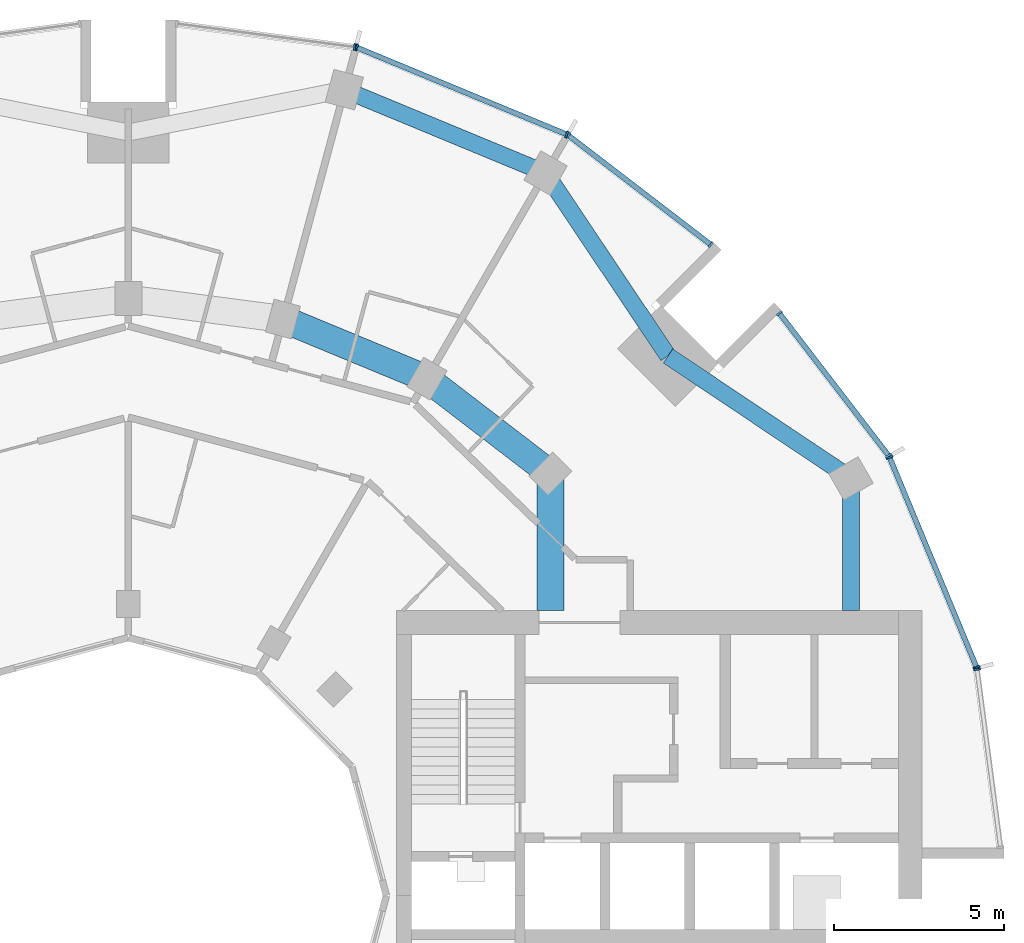
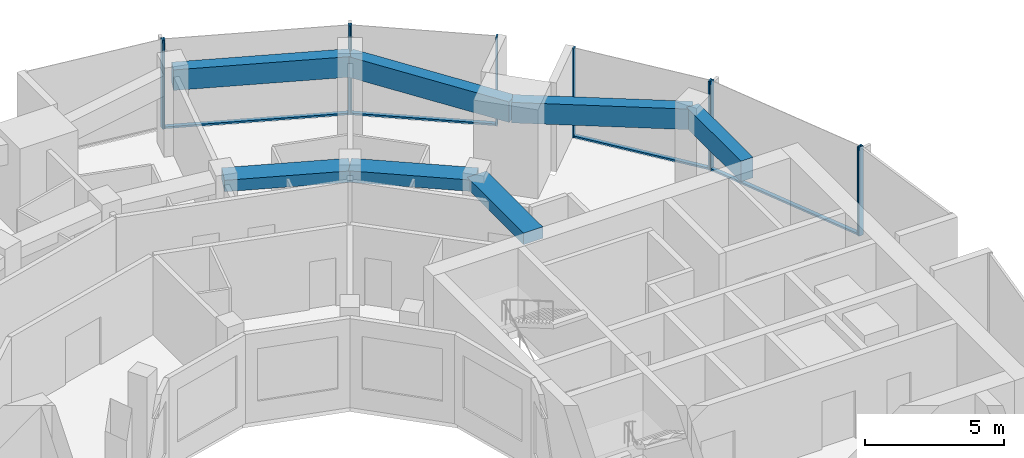
# One storey, part 6 of 15: 14 members, 7 beams, 6 elements without a shape of their own.
"""IFC4 building model written with IfcOpenShell, lengths in metres."""

from ifc_helpers import new_model, si_unit, direction, frame, origin, origin_2d, place, context, subcontext, project, spatial, rectangle, extrude, material, layer, layer_set, material_profile, profile_set, type_object, element, aggregate, save


model = new_model("IFC4")

# Units and contexts
model_context = context("Model", 3, precision=1e-05, world=origin(), true_north=direction((0.0, 1.0)))
body_context = subcontext(model_context, "Body", "Model", "MODEL_VIEW")
ifc_project = project(units=[si_unit("LENGTHUNIT", "METRE"), si_unit("AREAUNIT", "SQUARE_METRE"), si_unit("VOLUMEUNIT", "CUBIC_METRE"), si_unit("PLANEANGLEUNIT", "RADIAN"), si_unit("MASSUNIT", "GRAM", prefix="KILO")], contexts=[model_context])

# Site, building, storey
site_placement = place(None, origin())
site = spatial("IfcSite", under=ifc_project, at=site_placement, CompositionType="ELEMENT")
building_placement = place(site_placement, origin())
building = spatial("IfcBuilding", under=site, at=building_placement, Name="Torre Brocal", CompositionType="ELEMENT")
storey_placement = place(building_placement, frame((0.0, 0.0, 122.39990234375)))
storey = spatial("IfcBuildingStorey", under=building, at=storey_placement, Name="L28", CompositionType="ELEMENT", Elevation=122.39990234375)

# Curtain wall, members
ifc_material_1 = material(Name="Aluminium and glass", Category="aluminium")
ifc_layer_1 = layer(ifc_material_1, 0.199951171875)
ifc_layer_set_1 = layer_set([ifc_layer_1], Name="Aluminium and glass")
curtain_wall_type_1 = type_object("IfcCurtainWallType", Name="CW-1 CURTAIN WALL 3900 HIGH", PredefinedType="NOTDEFINED", material=ifc_layer_set_1)
curtain_wall_1_placement = place(storey_placement, origin())
curtain_wall_1 = element("IfcCurtainWall", 1, at=curtain_wall_1_placement, inside=storey, type_object=curtain_wall_type_1, Name="CW-1 RUN 2", PredefinedType="NOTDEFINED")
ifc_material_2 = material(Name="Aluminium, dark anodised", Category="aluminium")
ifc_material_profile_1 = material_profile(ifc_material_2, rectangle(XDim=0.199951171875, YDim=0.06005859375, at=origin_2d()), Name="CW-1 MULLION 60X200")
ifc_profile_set_1 = profile_set([ifc_material_profile_1], Name="Aluminium, dark anodised")
member_type_1 = type_object("IfcMemberType", Name="CW-1 MULLION 60X200", PredefinedType="MULLION", material=ifc_profile_set_1)
member_1_placement = place(storey_placement, frame((105.005126953125, 81.73095703125, 0.0), z_axis=(0.0, 0.0, 1.0), x_axis=(-0.923879532525, -0.382683432333, 0.0)))
member_1 = element("IfcMember", 2, at=member_1_placement, type_object=member_type_1, Name="CW1-3 mullion 1", PredefinedType="MULLION", context=body_context, shape_type="SweptSolid", body=[
    extrude(rectangle(XDim=0.199951171875, YDim=0.06005859375, at=origin_2d()), origin(), (0.0, 0.0, 1.0), 3.900146484375),
])
member_2_placement = place(storey_placement, frame((102.440673828125, 87.921875, 0.0), z_axis=(0.0, 0.0, 1.0), x_axis=(-0.923879532525, -0.382683432333, 0.0)))
member_2 = element("IfcMember", 3, at=member_2_placement, type_object=member_type_1, Name="CW1-3 mullion 2", PredefinedType="MULLION", context=body_context, shape_type="SweptSolid", body=[
    extrude(rectangle(XDim=0.199951171875, YDim=0.06005859375, at=origin_2d()), origin(), (0.0, 0.0, 1.0), 3.900146484375),
])

curtain_wall_2_placement = place(storey_placement, origin())
curtain_wall_2 = element("IfcCurtainWall", 4, at=curtain_wall_2_placement, inside=storey, type_object=curtain_wall_type_1, Name="CW-1 RUN 3", PredefinedType="NOTDEFINED")
member_3_placement = place(storey_placement, frame((102.4111328125, 87.973388671875, 0.0), z_axis=(0.0, 0.0, 1.0), x_axis=(-0.793353340259, -0.60876142905, 0.0)))
member_3 = element("IfcMember", 5, at=member_3_placement, type_object=member_type_1, Name="CW1-3 mullion 1", PredefinedType="MULLION", context=body_context, shape_type="SweptSolid", body=[
    extrude(rectangle(XDim=0.199951171875, YDim=0.06005859375, at=origin_2d()), origin(), (0.0, 0.0, 1.0), 3.900146484375),
])
member_4_placement = place(storey_placement, frame((99.19140625, 92.16943359375, 0.0), z_axis=(0.0, 0.0, 1.0), x_axis=(-0.793353340259, -0.60876142905, 0.0)))
member_4 = element("IfcMember", 6, at=member_4_placement, type_object=member_type_1, Name="CW1-3 mullion 2", PredefinedType="MULLION", context=body_context, shape_type="SweptSolid", body=[
    extrude(rectangle(XDim=0.199951171875, YDim=0.06005859375, at=origin_2d()), origin(), (0.0, 0.0, 1.0), 3.900146484375),
])

curtain_wall_3_placement = place(storey_placement, origin())
curtain_wall_3 = element("IfcCurtainWall", 7, at=curtain_wall_3_placement, inside=storey, type_object=curtain_wall_type_1, Name="CW-1 RUN 4", PredefinedType="NOTDEFINED")
member_5_placement = place(storey_placement, frame((97.16943359375, 94.19140625, 0.0), z_axis=(0.0, 0.0, 1.0), x_axis=(-0.60876142905, -0.793353340259, 0.0)))
member_5 = element("IfcMember", 8, at=member_5_placement, type_object=member_type_1, Name="CW1-3 mullion 1", PredefinedType="MULLION", context=body_context, shape_type="SweptSolid", body=[
    extrude(rectangle(XDim=0.199951171875, YDim=0.06005859375, at=origin_2d()), origin(), (0.0, 0.0, 1.0), 3.900146484375),
])
member_6_placement = place(storey_placement, frame((92.973388671875, 97.4111328125, 0.0), z_axis=(0.0, 0.0, 1.0), x_axis=(-0.60876142905, -0.793353340259, 0.0)))
member_6 = element("IfcMember", 9, at=member_6_placement, type_object=member_type_1, Name="CW1-3 mullion 2", PredefinedType="MULLION", context=body_context, shape_type="SweptSolid", body=[
    extrude(rectangle(XDim=0.199951171875, YDim=0.06005859375, at=origin_2d()), origin(), (0.0, 0.0, 1.0), 3.900146484375),
])

curtain_wall_4_placement = place(storey_placement, origin())
curtain_wall_4 = element("IfcCurtainWall", 10, at=curtain_wall_4_placement, inside=storey, type_object=curtain_wall_type_1, Name="CW-1 RUN 5", PredefinedType="NOTDEFINED")
member_7_placement = place(storey_placement, frame((92.921875, 97.440673828125, 0.0), z_axis=(0.0, 0.0, 1.0), x_axis=(-0.382683432333, -0.923879532525, 0.0)))
member_7 = element("IfcMember", 11, at=member_7_placement, type_object=member_type_1, Name="CW1-3 mullion 1", PredefinedType="MULLION", context=body_context, shape_type="SweptSolid", body=[
    extrude(rectangle(XDim=0.199951171875, YDim=0.06005859375, at=origin_2d()), origin(), (0.0, 0.0, 1.0), 3.900146484375),
])
member_8_placement = place(storey_placement, frame((86.73095703125, 100.005126953125, 0.0), z_axis=(0.0, 0.0, 1.0), x_axis=(-0.382683432333, -0.923879532525, 0.0)))
member_8 = element("IfcMember", 12, at=member_8_placement, type_object=member_type_1, Name="CW1-3 mullion 2", PredefinedType="MULLION", context=body_context, shape_type="SweptSolid", body=[
    extrude(rectangle(XDim=0.199951171875, YDim=0.06005859375, at=origin_2d()), origin(), (0.0, 0.0, 1.0), 3.900146484375),
])

# Curtain wall, member
curtain_wall_5_placement = place(storey_placement, origin())
curtain_wall_5 = element("IfcCurtainWall", 13, at=curtain_wall_5_placement, inside=storey, type_object=curtain_wall_type_1, Name="CW-1 RUN 6", PredefinedType="NOTDEFINED")
member_9_placement = place(storey_placement, frame((86.67333984375, 100.0205078125, 0.0), z_axis=(0.0, 0.0, 1.0), x_axis=(-0.13052619222, -0.991444861374, 0.0)))
member_9 = element("IfcMember", 14, at=member_9_placement, type_object=member_type_1, Name="CW1-3 mullion 1", PredefinedType="MULLION", context=body_context, shape_type="SweptSolid", body=[
    extrude(rectangle(XDim=0.199951171875, YDim=0.06005859375, at=origin_2d()), origin(), (0.0, 0.0, 1.0), 3.900146484375),
])
aggregate(curtain_wall_5, [member_9])

# Member
ifc_material_3 = material(Name="Aluminium, dark anodised", Category="aluminium")
ifc_material_profile_2 = material_profile(ifc_material_3, rectangle(XDim=0.159912109375, YDim=0.080078125, at=origin_2d()), Name="CW-1 TRANSOM 160X80")
ifc_profile_set_2 = profile_set([ifc_material_profile_2], Name="Aluminium, dark anodised")
member_type_2 = type_object("IfcMemberType", Name="CW-1 TRANSOM 160X80", PredefinedType="USERDEFINED", material=ifc_profile_set_2)
member_10_placement = place(storey_placement, frame((104.99365234375, 81.758544921875, 0.0400390625), z_axis=(-0.38266457234, 0.923887344364, 0.0), x_axis=(-0.923887344364, -0.38266457234, 0.0)))
member_10 = element("IfcMember", 15, at=member_10_placement, type_object=member_type_2, Name="CW1-3 transom 1.1", ObjectType="TRANSOM", PredefinedType="USERDEFINED", context=body_context, shape_type="SweptSolid", body=[
    extrude(rectangle(XDim=0.159912109375, YDim=0.080078125, at=origin_2d()), origin(), (0.0, 0.0, 1.0), 6.640869140625),
])

aggregate(curtain_wall_1, [member_1, member_2, member_10])

member_11_placement = place(storey_placement, frame((102.392822265625, 87.9970703125, 0.0400390625), z_axis=(-0.60874908096, 0.79336281513, 0.0), x_axis=(-0.79336281513, -0.60874908096, 0.0)))
member_11 = element("IfcMember", 16, at=member_11_placement, type_object=member_type_2, Name="CW1-3 transom 1.1", ObjectType="TRANSOM", PredefinedType="USERDEFINED", context=body_context, shape_type="SweptSolid", body=[
    extrude(rectangle(XDim=0.159912109375, YDim=0.080078125, at=origin_2d()), origin(), (0.0, 0.0, 1.0), 5.22900390625),
])

aggregate(curtain_wall_2, [member_3, member_4, member_11])

member_12_placement = place(storey_placement, frame((97.1455078125, 94.209716796875, 0.0400390625), z_axis=(-0.79336281513, 0.60874908096, 0.0), x_axis=(-0.60874908096, -0.79336281513, 0.0)))
member_12 = element("IfcMember", 17, at=member_12_placement, type_object=member_type_2, Name="CW1-3 transom 1.1", ObjectType="TRANSOM", PredefinedType="USERDEFINED", context=body_context, shape_type="SweptSolid", body=[
    extrude(rectangle(XDim=0.159912109375, YDim=0.080078125, at=origin_2d()), origin(), (0.0, 0.0, 1.0), 5.22900390625),
])

aggregate(curtain_wall_3, [member_5, member_6, member_12])

member_13_placement = place(storey_placement, frame((92.89404296875, 97.452392578125, 0.0400390625), z_axis=(-0.923887344364, 0.38266457234, 0.0), x_axis=(-0.38266457234, -0.923887344364, 0.0)))
member_13 = element("IfcMember", 18, at=member_13_placement, type_object=member_type_2, Name="CW1-3 transom 1.1", ObjectType="TRANSOM", PredefinedType="USERDEFINED", context=body_context, shape_type="SweptSolid", body=[
    extrude(rectangle(XDim=0.159912109375, YDim=0.080078125, at=origin_2d()), origin(), (0.0, 0.0, 1.0), 6.640869140625),
])

aggregate(curtain_wall_4, [member_7, member_8, member_13])

# Curtain wall, member
ifc_material_4 = material(Name="Aluminium and glass", Category="aluminium")
ifc_layer_2 = layer(ifc_material_4, 0.199951171875)
ifc_layer_set_2 = layer_set([ifc_layer_2], Name="Aluminium and glass")
curtain_wall_type_2 = type_object("IfcCurtainWallType", Name="CW-1B CURTAIN WALL 3900 HIGH", PredefinedType="NOTDEFINED", material=ifc_layer_set_2)
curtain_wall_6_placement = place(storey_placement, origin())
curtain_wall_6 = element("IfcCurtainWall", 19, at=curtain_wall_6_placement, inside=storey, type_object=curtain_wall_type_2, Name="CW-1B RUN 1", PredefinedType="NOTDEFINED")
ifc_material_5 = material(Name="Aluminium, dark anodised", Category="aluminium")
ifc_material_profile_3 = material_profile(ifc_material_5, rectangle(XDim=0.199951171875, YDim=0.06005859375, at=origin_2d()), Name="CW-1B MULLION 60X200")
ifc_profile_set_3 = profile_set([ifc_material_profile_3], Name="Aluminium, dark anodised")
member_type_3 = type_object("IfcMemberType", Name="CW-1B MULLION 60X200", PredefinedType="MULLION", material=ifc_profile_set_3)
member_14_placement = place(storey_placement, frame((105.0205078125, 81.67333984375, 0.0), z_axis=(0.0, 0.0, 1.0), x_axis=(-0.991444861374, -0.13052619222, 0.0)))
member_14 = element("IfcMember", 20, at=member_14_placement, type_object=member_type_3, Name="CW1B-3 mullion 2", PredefinedType="MULLION", context=body_context, shape_type="SweptSolid", body=[
    extrude(rectangle(XDim=0.199951171875, YDim=0.06005859375, at=origin_2d()), origin(), (0.0, 0.0, 1.0), 3.900146484375),
])
aggregate(curtain_wall_6, [member_14])

# Beams
ifc_material_6 = material(Name="Concrete C50", Category="concrete")
ifc_material_profile_4 = material_profile(ifc_material_6, rectangle(XDim=0.800048828125, YDim=0.5, at=origin_2d()), Name="RC 800X500")
ifc_profile_set_4 = profile_set([ifc_material_profile_4], Name="Concrete C50")
beam_type_1 = type_object("IfcBeamType", Name="RC BEAM 800X500 C50 TOP 3580", PredefinedType="BEAM", material=ifc_profile_set_4)
beam_1_placement = place(storey_placement, frame((92.445068359375, 87.445068359375, 3.330078125), z_axis=(-0.793358265959, 0.6087550097, 0.0), x_axis=(-0.6087550097, -0.793358265959, 0.0)))
element("IfcBeam", 21, at=beam_1_placement, inside=storey, type_object=beam_type_1, Name="Beam BT-28", PredefinedType="BEAM", context=body_context, shape_type="SweptSolid", body=[
    extrude(rectangle(XDim=0.800048828125, YDim=0.5, at=origin_2d()), origin(), (0.0, 0.0, 1.0), 4.594482421875),
])
beam_2_placement = place(storey_placement, frame((88.800048828125, 90.241943359375, 3.330078125), z_axis=(-0.923878240166, 0.382686552348, 0.0), x_axis=(-0.382686552348, -0.923878240166, 0.0)))
element("IfcBeam", 22, at=beam_2_placement, inside=storey, type_object=beam_type_1, Name="Beam BT-28", PredefinedType="BEAM", context=body_context, shape_type="SweptSolid", body=[
    extrude(rectangle(XDim=0.800048828125, YDim=0.5, at=origin_2d()), origin(), (0.0, 0.0, 1.0), 4.5947265625),
])
beam_3_placement = place(storey_placement, frame((92.445068359375, 87.445068359375, 3.330078125), z_axis=(0.0, -1.0, 0.0), x_axis=(1.0, 0.0, 0.0)))
element("IfcBeam", 23, at=beam_3_placement, inside=storey, type_object=beam_type_1, Name="Beam BT-28", PredefinedType="BEAM", context=body_context, shape_type="SweptSolid", body=[
    extrude(rectangle(XDim=0.800048828125, YDim=0.5, at=origin_2d()), origin(), (0.0, 0.0, 1.0), 4.045166015625),
])
ifc_material_7 = material(Name="Concrete C50", Category="concrete")
ifc_material_profile_5 = material_profile(ifc_material_7, rectangle(XDim=0.5, YDim=0.89990234375, at=origin_2d()), Name="RC 500X900")
ifc_profile_set_5 = profile_set([ifc_material_profile_5], Name="Concrete C50")
beam_type_2 = type_object("IfcBeamType", Name="RC SPANDREL BEAM 500X900 C50 TOP 3580", PredefinedType="SPANDREL", material=ifc_profile_set_5)
for number, where, z_axis, x_axis, name in (
    (24, (101.30419921875, 87.300048828125, 3.130126953125), (-0.831076844476, 0.556157602282, 0.0), (-0.556157602282, -0.831076844476, 0.0), "Beam BT-29"),
    (25, (95.909912109375, 90.909912109375, 3.130126953125), (-0.556157602282, 0.831076844476, 0.0), (-0.831076844476, -0.556157602282, 0.0), "Beam BT-29"),
):
    element("IfcBeam", number, at=place(storey_placement, frame(where, z_axis=z_axis, x_axis=x_axis)), inside=storey, type_object=beam_type_2, Name=name, PredefinedType="SPANDREL", context=body_context, shape_type="SweptSolid", body=[
        extrude(rectangle(XDim=0.5, YDim=0.89990234375, at=origin_2d()), origin(), (0.0, 0.0, 1.0), 6.49072265625),
    ])
beam_4_placement = place(storey_placement, frame((92.300048828125, 96.30419921875, 3.130126953125), z_axis=(-0.923882462513, 0.382676358639, 0.0), x_axis=(-0.382676358639, -0.923882462513, 0.0)))
element("IfcBeam", 26, at=beam_4_placement, inside=storey, type_object=beam_type_2, Name="Beam BT-29", PredefinedType="SPANDREL", context=body_context, shape_type="SweptSolid", body=[
    extrude(rectangle(XDim=0.5, YDim=0.89990234375, at=origin_2d()), origin(), (0.0, 0.0, 1.0), 6.421875),
])
beam_5_placement = place(storey_placement, frame((101.30419921875, 87.300048828125, 3.130126953125), z_axis=(0.0, -1.0, 0.0), x_axis=(1.0, 0.0, 0.0)))
element("IfcBeam", 27, at=beam_5_placement, inside=storey, type_object=beam_type_2, Name="Beam BT-29", PredefinedType="SPANDREL", context=body_context, shape_type="SweptSolid", body=[
    extrude(rectangle(XDim=0.5, YDim=0.89990234375, at=origin_2d()), origin(), (0.0, 0.0, 1.0), 3.900146484375),
])

save(model, "model.ifc")
